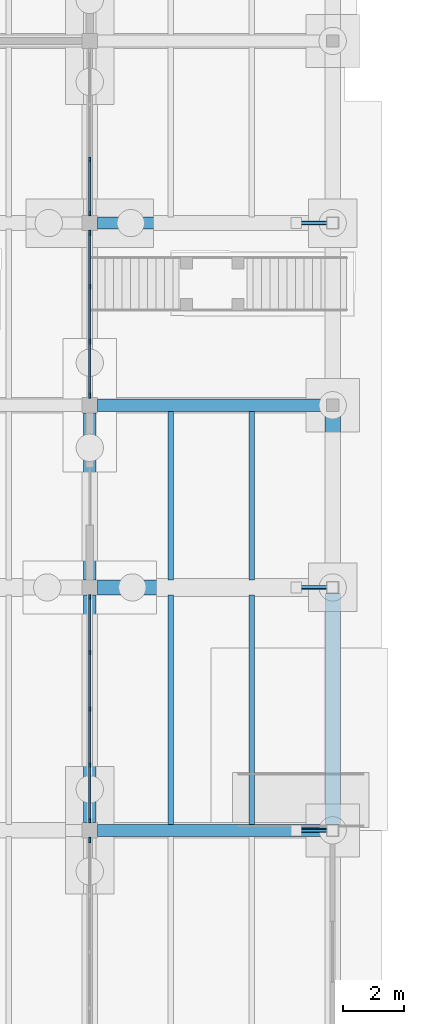
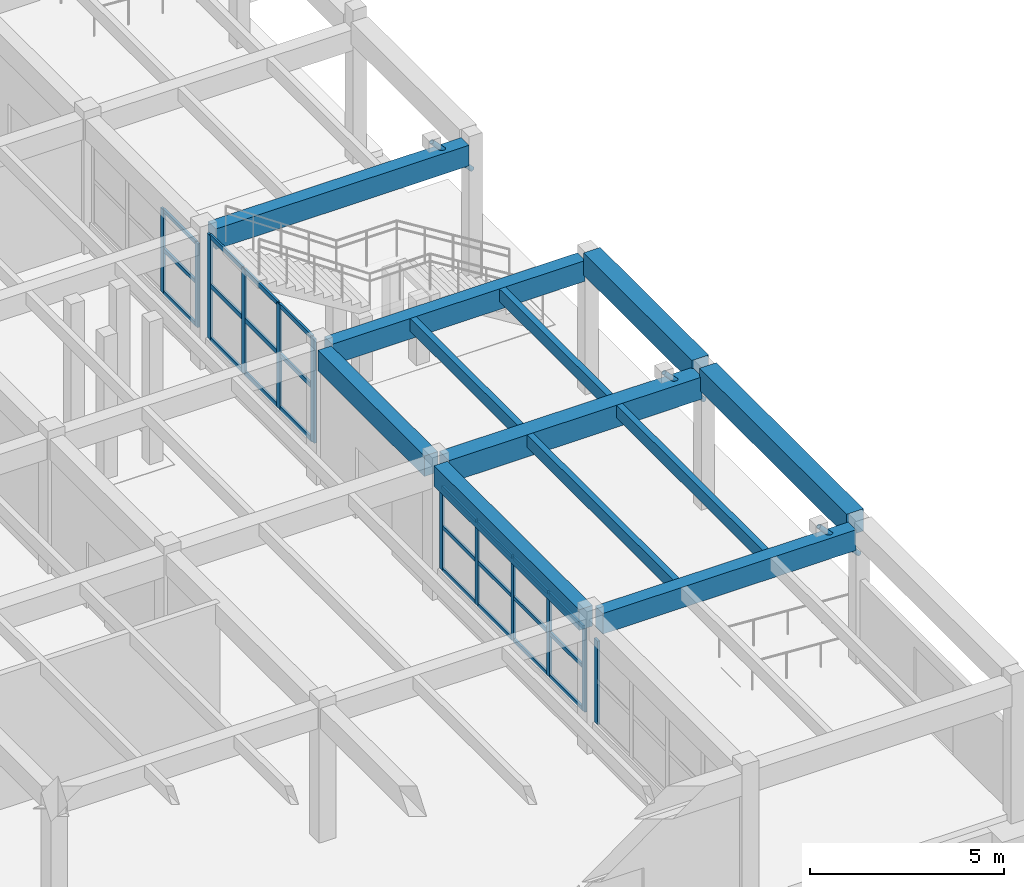
# One storey, part 17 of 99: 39 members, 12 beams, 4 elements without a shape of their own.
"""IFC4 building model written with IfcOpenShell, lengths in metres."""

from ifc_helpers import new_model, si_unit, direction, frame, origin, origin_2d, place, context, subcontext, project, spatial, rectangle, hollow_circle, extrude, material, layer, layer_set, material_profile, profile_set, type_object, element, aggregate, save


model = new_model("IFC4")

# Units and contexts
model_context = context("Model", 3, precision=1e-05, world=origin(), true_north=direction((0.0, 1.0)))
body_context = subcontext(model_context, "Body", "Model", "MODEL_VIEW")
ifc_project = project(units=[si_unit("LENGTHUNIT", "METRE"), si_unit("AREAUNIT", "SQUARE_METRE"), si_unit("VOLUMEUNIT", "CUBIC_METRE"), si_unit("PLANEANGLEUNIT", "RADIAN"), si_unit("MASSUNIT", "GRAM", prefix="KILO")], contexts=[model_context])

# Site, building, storey
site_placement = place(None, origin())
site = spatial("IfcSite", under=ifc_project, at=site_placement, CompositionType="ELEMENT")
building_placement = place(site_placement, origin())
building = spatial("IfcBuilding", under=site, at=building_placement, Name="Tonlespit Floodbar School", CompositionType="ELEMENT")
storey_placement = place(building_placement, origin())
storey = spatial("IfcBuildingStorey", under=building, at=storey_placement, Name="L00", CompositionType="ELEMENT", Elevation=0.0)

# Beams
ifc_material_1 = material(Name="Concrete C40/50", Category="concrete")
ifc_material_profile_1 = material_profile(ifc_material_1, rectangle(XDim=0.39990234375, YDim=0.64990234375, at=origin_2d()), Name="RC 400x650")
ifc_profile_set_1 = profile_set([ifc_material_profile_1], Name="Concrete C40/50")
beam_type_1 = type_object("IfcBeamType", Name="Beam_RC_400x650", PredefinedType="BEAM", material=ifc_profile_set_1)
for number, where, z_axis, x_axis, name in (
    (1, (36.25, 12.0, 3.9150390625), (1.0, 0.0, 0.0), (0.0, 1.0, 0.0), "L00 girder 0009"),
    (2, (36.25, 26.0, 3.9150390625), (1.0, 0.0, 0.0), (0.0, 1.0, 0.0), "L00 girder 0026"),
    (3, (36.25, 32.0, 3.9150390625), (1.0, 0.0, 0.0), (0.0, 1.0, 0.0), "L00 girder 0031"),
):
    element("IfcBeam", number, at=place(storey_placement, frame(where, z_axis=z_axis, x_axis=x_axis)), inside=storey, type_object=beam_type_1, Name=name, PredefinedType="BEAM", context=body_context, shape_type="SweptSolid", body=[
        extrude(rectangle(XDim=0.39990234375, YDim=0.64990234375, at=origin_2d()), origin(), (0.0, 0.0, 1.0), 7.550048828125),
    ])
beam_1_placement = place(storey_placement, frame((36.0, 12.25, 3.9150390625), z_axis=(0.0, 1.0, 0.0), x_axis=(-1.0, 0.0, 0.0)))
element("IfcBeam", 4, at=beam_1_placement, inside=storey, type_object=beam_type_1, Name="L00 girder 0210", PredefinedType="BEAM", context=body_context, shape_type="SweptSolid", body=[
    extrude(rectangle(XDim=0.39990234375, YDim=0.64990234375, at=origin_2d()), origin(), (0.0, 0.0, 1.0), 7.5),
])
beam_2_placement = place(storey_placement, frame((36.0, 20.25, 3.9150390625), z_axis=(0.0, 1.0, 0.0), x_axis=(-1.0, 0.0, 0.0)))
element("IfcBeam", 5, at=beam_2_placement, inside=storey, type_object=beam_type_1, Name="L00 girder 0211", PredefinedType="BEAM", context=body_context, shape_type="SweptSolid", body=[
    extrude(rectangle(XDim=0.39990234375, YDim=0.64990234375, at=origin_2d()), origin(), (0.0, 0.0, 1.0), 5.5),
])

# Curtain wall, members
ifc_material_2 = material(Name="Anodised Aluminium", Category="aluminium")
ifc_layer_1 = layer(ifc_material_2, 0.159912109375)
ifc_layer_set_1 = layer_set([ifc_layer_1], Name="Anodised Aluminium")
curtain_wall_type_1 = type_object("IfcCurtainWallType", Name="CurtainWall_5400x2650", PredefinedType="NOTDEFINED", material=ifc_layer_set_1)
curtain_wall_1_placement = place(storey_placement, origin())
curtain_wall_1 = element("IfcCurtainWall", 6, at=curtain_wall_1_placement, inside=storey, type_object=curtain_wall_type_1, Name="L00 unitised curtain wall 0508", PredefinedType="NOTDEFINED")
ifc_material_profile_2 = material_profile(ifc_material_2, rectangle(XDim=0.06494140625, YDim=0.14990234375, at=origin_2d()), Name="ALU M65x150")
ifc_profile_set_2 = profile_set([ifc_material_profile_2], Name="Anodised Aluminium")
member_type_1 = type_object("IfcMemberType", Name="CW_Mullion_65x150", PredefinedType="MULLION", material=ifc_profile_set_2)
member_1_placement = place(storey_placement, frame((36.0, 34.0966796875, 0.949951171875), z_axis=(0.0, 0.0, 1.0), x_axis=(1.0, 0.0, 0.0)))
member_1 = element("IfcMember", 7, at=member_1_placement, type_object=member_type_1, Name="CW-82 mullion 3", PredefinedType="MULLION", context=body_context, shape_type="SweptSolid", body=[
    extrude(rectangle(XDim=0.06494140625, YDim=0.14990234375, at=origin_2d()), origin(), (0.0, 0.0, 1.0), 2.64013671875),
])
member_2_placement = place(storey_placement, frame((36.0, 32.322509765625, 0.949951171875), z_axis=(0.0, 0.0, 1.0), x_axis=(1.0, 0.0, 0.0)))
member_2 = element("IfcMember", 8, at=member_2_placement, type_object=member_type_1, Name="CW-82 mullion 4", PredefinedType="MULLION", context=body_context, shape_type="SweptSolid", body=[
    extrude(rectangle(XDim=0.06494140625, YDim=0.14990234375, at=origin_2d()), origin(), (0.0, 0.0, 1.0), 2.64013671875),
])

ifc_layer_2 = layer(ifc_material_2, 0.159912109375)
ifc_layer_set_2 = layer_set([ifc_layer_2], Name="Anodised Aluminium")
curtain_wall_type_2 = type_object("IfcCurtainWallType", Name="CurtainWall_7400x2650", PredefinedType="NOTDEFINED", material=ifc_layer_set_2)
curtain_wall_2_placement = place(storey_placement, origin())
curtain_wall_2 = element("IfcCurtainWall", 9, at=curtain_wall_2_placement, inside=storey, type_object=curtain_wall_type_2, Name="L00 unitised curtain wall 0510", PredefinedType="NOTDEFINED")
member_3_placement = place(storey_placement, frame((36.0, 19.677490234375, 0.949951171875), z_axis=(0.0, 0.0, 1.0), x_axis=(1.0, 0.0, 0.0)))
member_3 = element("IfcMember", 10, at=member_3_placement, type_object=member_type_1, Name="CW-34 mullion 1", PredefinedType="MULLION", context=body_context, shape_type="SweptSolid", body=[
    extrude(rectangle(XDim=0.06494140625, YDim=0.14990234375, at=origin_2d()), origin(), (0.0, 0.0, 1.0), 2.64013671875),
])
member_4_placement = place(storey_placement, frame((36.0, 17.85498046875, 0.949951171875), z_axis=(0.0, 0.0, 1.0), x_axis=(1.0, 0.0, 0.0)))
member_4 = element("IfcMember", 11, at=member_4_placement, type_object=member_type_1, Name="CW-34 mullion 2", PredefinedType="MULLION", context=body_context, shape_type="SweptSolid", body=[
    extrude(rectangle(XDim=0.06494140625, YDim=0.14990234375, at=origin_2d()), origin(), (0.0, 0.0, 1.0), 2.64013671875),
])
member_5_placement = place(storey_placement, frame((36.0, 16.0, 0.949951171875), z_axis=(0.0, 0.0, 1.0), x_axis=(1.0, 0.0, 0.0)))
member_5 = element("IfcMember", 12, at=member_5_placement, type_object=member_type_1, Name="CW-34 mullion 3", PredefinedType="MULLION", context=body_context, shape_type="SweptSolid", body=[
    extrude(rectangle(XDim=0.06494140625, YDim=0.14990234375, at=origin_2d()), origin(), (0.0, 0.0, 1.0), 2.64013671875),
])
member_6_placement = place(storey_placement, frame((36.0, 14.14501953125, 0.949951171875), z_axis=(0.0, 0.0, 1.0), x_axis=(1.0, 0.0, 0.0)))
member_6 = element("IfcMember", 13, at=member_6_placement, type_object=member_type_1, Name="CW-34 mullion 4", PredefinedType="MULLION", context=body_context, shape_type="SweptSolid", body=[
    extrude(rectangle(XDim=0.06494140625, YDim=0.14990234375, at=origin_2d()), origin(), (0.0, 0.0, 1.0), 2.64013671875),
])
member_7_placement = place(storey_placement, frame((36.0, 12.322509765625, 0.949951171875), z_axis=(0.0, 0.0, 1.0), x_axis=(1.0, 0.0, 0.0)))
member_7 = element("IfcMember", 14, at=member_7_placement, type_object=member_type_1, Name="CW-34 mullion 5", PredefinedType="MULLION", context=body_context, shape_type="SweptSolid", body=[
    extrude(rectangle(XDim=0.06494140625, YDim=0.14990234375, at=origin_2d()), origin(), (0.0, 0.0, 1.0), 2.64013671875),
])

ifc_layer_3 = layer(ifc_material_2, 0.159912109375)
ifc_layer_set_3 = layer_set([ifc_layer_3], Name="Anodised Aluminium")
curtain_wall_type_3 = type_object("IfcCurtainWallType", Name="CurtainWall_5400x3300", PredefinedType="NOTDEFINED", material=ifc_layer_set_3)
curtain_wall_3_placement = place(storey_placement, origin())
curtain_wall_3 = element("IfcCurtainWall", 15, at=curtain_wall_3_placement, inside=storey, type_object=curtain_wall_type_3, Name="L00 unitised curtain wall 0509", PredefinedType="NOTDEFINED")
ifc_material_profile_3 = material_profile(ifc_material_2, rectangle(XDim=0.06494140625, YDim=0.179931640625, at=origin_2d()), Name="ALU M65x180")
ifc_profile_set_3 = profile_set([ifc_material_profile_3], Name="Anodised Aluminium")
member_type_2 = type_object("IfcMemberType", Name="CW_Mullion_65x180", PredefinedType="MULLION", material=ifc_profile_set_3)
member_8_placement = place(storey_placement, frame((36.0, 31.677490234375, 0.949951171875), z_axis=(0.0, 0.0, 1.0), x_axis=(1.0, 0.0, 0.0)))
member_8 = element("IfcMember", 16, at=member_8_placement, type_object=member_type_2, Name="CW-83 mullion 1", PredefinedType="MULLION", context=body_context, shape_type="SweptSolid", body=[
    extrude(rectangle(XDim=0.06494140625, YDim=0.179931640625, at=origin_2d()), origin(), (0.0, 0.0, 1.0), 3.2900390625),
])
member_9_placement = place(storey_placement, frame((36.0, 29.9033203125, 0.949951171875), z_axis=(0.0, 0.0, 1.0), x_axis=(1.0, 0.0, 0.0)))
member_9 = element("IfcMember", 17, at=member_9_placement, type_object=member_type_2, Name="CW-83 mullion 2", PredefinedType="MULLION", context=body_context, shape_type="SweptSolid", body=[
    extrude(rectangle(XDim=0.06494140625, YDim=0.179931640625, at=origin_2d()), origin(), (0.0, 0.0, 1.0), 3.2900390625),
])
member_10_placement = place(storey_placement, frame((36.0, 28.0966796875, 0.949951171875), z_axis=(0.0, 0.0, 1.0), x_axis=(1.0, 0.0, 0.0)))
member_10 = element("IfcMember", 18, at=member_10_placement, type_object=member_type_2, Name="CW-83 mullion 3", PredefinedType="MULLION", context=body_context, shape_type="SweptSolid", body=[
    extrude(rectangle(XDim=0.06494140625, YDim=0.179931640625, at=origin_2d()), origin(), (0.0, 0.0, 1.0), 3.2900390625),
])
member_11_placement = place(storey_placement, frame((36.0, 26.322509765625, 0.949951171875), z_axis=(0.0, 0.0, 1.0), x_axis=(1.0, 0.0, 0.0)))
member_11 = element("IfcMember", 19, at=member_11_placement, type_object=member_type_2, Name="CW-83 mullion 4", PredefinedType="MULLION", context=body_context, shape_type="SweptSolid", body=[
    extrude(rectangle(XDim=0.06494140625, YDim=0.179931640625, at=origin_2d()), origin(), (0.0, 0.0, 1.0), 3.2900390625),
])

# Curtain wall, member
curtain_wall_4_placement = place(storey_placement, origin())
curtain_wall_4 = element("IfcCurtainWall", 20, at=curtain_wall_4_placement, inside=storey, type_object=curtain_wall_type_2, Name="L00 unitised curtain wall 0511", PredefinedType="NOTDEFINED")
member_12_placement = place(storey_placement, frame((36.0, 11.677490234375, 0.949951171875), z_axis=(0.0, 0.0, 1.0), x_axis=(1.0, 0.0, 0.0)))
member_12 = element("IfcMember", 21, at=member_12_placement, type_object=member_type_2, Name="CW-34 mullion 1", PredefinedType="MULLION", context=body_context, shape_type="SweptSolid", body=[
    extrude(rectangle(XDim=0.06494140625, YDim=0.179931640625, at=origin_2d()), origin(), (0.0, 0.0, 1.0), 2.64013671875),
])
aggregate(curtain_wall_4, [member_12])

# Member
ifc_material_profile_4 = material_profile(ifc_material_2, rectangle(XDim=0.06494140625, YDim=0.1201171875, at=origin_2d()), Name="ALU T65x120")
ifc_profile_set_4 = profile_set([ifc_material_profile_4], Name="Anodised Aluminium")
member_type_3 = type_object("IfcMemberType", Name="CW_Transom_65x120", PredefinedType="USERDEFINED", material=ifc_profile_set_4)
member_13_placement = place(storey_placement, frame((36.0, 34.064208984375, 0.982421875), z_axis=(0.0, -1.0, 0.0), x_axis=(1.0, 0.0, 0.0)))
member_13 = element("IfcMember", 22, at=member_13_placement, type_object=member_type_3, Name="CW-82 transom 3.1", ObjectType="TRANSOM", PredefinedType="USERDEFINED", context=body_context, shape_type="SweptSolid", body=[
    extrude(rectangle(XDim=0.06494140625, YDim=0.1201171875, at=origin_2d()), origin(), (0.0, 0.0, 1.0), 1.709228515625),
])

member_14_placement = place(storey_placement, frame((36.0, 34.064208984375, 2.32275390625), z_axis=(0.0, -1.0, 0.0), x_axis=(1.0, 0.0, 0.0)))
member_14 = element("IfcMember", 23, at=member_14_placement, type_object=member_type_3, Name="CW-82 transom 3.2", ObjectType="TRANSOM", PredefinedType="USERDEFINED", context=body_context, shape_type="SweptSolid", body=[
    extrude(rectangle(XDim=0.06494140625, YDim=0.1201171875, at=origin_2d()), origin(), (0.0, 0.0, 1.0), 1.709228515625),
])

member_15_placement = place(storey_placement, frame((36.0, 34.064208984375, 3.5576171875), z_axis=(0.0, -1.0, 0.0), x_axis=(1.0, 0.0, 0.0)))
member_15 = element("IfcMember", 24, at=member_15_placement, type_object=member_type_3, Name="CW-82 transom 3.3", ObjectType="TRANSOM", PredefinedType="USERDEFINED", context=body_context, shape_type="SweptSolid", body=[
    extrude(rectangle(XDim=0.06494140625, YDim=0.1201171875, at=origin_2d()), origin(), (0.0, 0.0, 1.0), 1.709228515625),
])

aggregate(curtain_wall_1, [member_1, member_2, member_13, member_14, member_15])

member_16_placement = place(storey_placement, frame((36.0, 19.64501953125, 0.982421875), z_axis=(0.0, -1.0, 0.0), x_axis=(1.0, 0.0, 0.0)))
member_16 = element("IfcMember", 25, at=member_16_placement, type_object=member_type_3, Name="CW-34 transom 1.1", ObjectType="TRANSOM", PredefinedType="USERDEFINED", context=body_context, shape_type="SweptSolid", body=[
    extrude(rectangle(XDim=0.06494140625, YDim=0.1201171875, at=origin_2d()), origin(), (0.0, 0.0, 1.0), 1.757568359375),
])

member_17_placement = place(storey_placement, frame((36.0, 19.64501953125, 2.32275390625), z_axis=(0.0, -1.0, 0.0), x_axis=(1.0, 0.0, 0.0)))
member_17 = element("IfcMember", 26, at=member_17_placement, type_object=member_type_3, Name="CW-34 transom 1.2", ObjectType="TRANSOM", PredefinedType="USERDEFINED", context=body_context, shape_type="SweptSolid", body=[
    extrude(rectangle(XDim=0.06494140625, YDim=0.1201171875, at=origin_2d()), origin(), (0.0, 0.0, 1.0), 1.757568359375),
])

member_18_placement = place(storey_placement, frame((36.0, 19.64501953125, 3.5576171875), z_axis=(0.0, -1.0, 0.0), x_axis=(1.0, 0.0, 0.0)))
member_18 = element("IfcMember", 27, at=member_18_placement, type_object=member_type_3, Name="CW-34 transom 1.3", ObjectType="TRANSOM", PredefinedType="USERDEFINED", context=body_context, shape_type="SweptSolid", body=[
    extrude(rectangle(XDim=0.06494140625, YDim=0.1201171875, at=origin_2d()), origin(), (0.0, 0.0, 1.0), 1.757568359375),
])

member_19_placement = place(storey_placement, frame((36.0, 17.822509765625, 0.982421875), z_axis=(0.0, -1.0, 0.0), x_axis=(1.0, 0.0, 0.0)))
member_19 = element("IfcMember", 28, at=member_19_placement, type_object=member_type_3, Name="CW-34 transom 2.1", ObjectType="TRANSOM", PredefinedType="USERDEFINED", context=body_context, shape_type="SweptSolid", body=[
    extrude(rectangle(XDim=0.06494140625, YDim=0.1201171875, at=origin_2d()), origin(), (0.0, 0.0, 1.0), 1.7900390625),
])

member_20_placement = place(storey_placement, frame((36.0, 17.822509765625, 2.32275390625), z_axis=(0.0, -1.0, 0.0), x_axis=(1.0, 0.0, 0.0)))
member_20 = element("IfcMember", 29, at=member_20_placement, type_object=member_type_3, Name="CW-34 transom 2.2", ObjectType="TRANSOM", PredefinedType="USERDEFINED", context=body_context, shape_type="SweptSolid", body=[
    extrude(rectangle(XDim=0.06494140625, YDim=0.1201171875, at=origin_2d()), origin(), (0.0, 0.0, 1.0), 1.7900390625),
])

member_21_placement = place(storey_placement, frame((36.0, 17.822509765625, 3.5576171875), z_axis=(0.0, -1.0, 0.0), x_axis=(1.0, 0.0, 0.0)))
member_21 = element("IfcMember", 30, at=member_21_placement, type_object=member_type_3, Name="CW-34 transom 2.3", ObjectType="TRANSOM", PredefinedType="USERDEFINED", context=body_context, shape_type="SweptSolid", body=[
    extrude(rectangle(XDim=0.06494140625, YDim=0.1201171875, at=origin_2d()), origin(), (0.0, 0.0, 1.0), 1.7900390625),
])

member_22_placement = place(storey_placement, frame((36.0, 15.967529296875, 0.982421875), z_axis=(0.0, -1.0, 0.0), x_axis=(1.0, 0.0, 0.0)))
member_22 = element("IfcMember", 31, at=member_22_placement, type_object=member_type_3, Name="CW-34 transom 3.1", ObjectType="TRANSOM", PredefinedType="USERDEFINED", context=body_context, shape_type="SweptSolid", body=[
    extrude(rectangle(XDim=0.06494140625, YDim=0.1201171875, at=origin_2d()), origin(), (0.0, 0.0, 1.0), 1.7900390625),
])

member_23_placement = place(storey_placement, frame((36.0, 15.967529296875, 2.32275390625), z_axis=(0.0, -1.0, 0.0), x_axis=(1.0, 0.0, 0.0)))
member_23 = element("IfcMember", 32, at=member_23_placement, type_object=member_type_3, Name="CW-34 transom 3.2", ObjectType="TRANSOM", PredefinedType="USERDEFINED", context=body_context, shape_type="SweptSolid", body=[
    extrude(rectangle(XDim=0.06494140625, YDim=0.1201171875, at=origin_2d()), origin(), (0.0, 0.0, 1.0), 1.7900390625),
])

member_24_placement = place(storey_placement, frame((36.0, 15.967529296875, 3.5576171875), z_axis=(0.0, -1.0, 0.0), x_axis=(1.0, 0.0, 0.0)))
member_24 = element("IfcMember", 33, at=member_24_placement, type_object=member_type_3, Name="CW-34 transom 3.3", ObjectType="TRANSOM", PredefinedType="USERDEFINED", context=body_context, shape_type="SweptSolid", body=[
    extrude(rectangle(XDim=0.06494140625, YDim=0.1201171875, at=origin_2d()), origin(), (0.0, 0.0, 1.0), 1.7900390625),
])

member_25_placement = place(storey_placement, frame((36.0, 14.112548828125, 0.982421875), z_axis=(0.0, -1.0, 0.0), x_axis=(1.0, 0.0, 0.0)))
member_25 = element("IfcMember", 34, at=member_25_placement, type_object=member_type_3, Name="CW-34 transom 4.1", ObjectType="TRANSOM", PredefinedType="USERDEFINED", context=body_context, shape_type="SweptSolid", body=[
    extrude(rectangle(XDim=0.06494140625, YDim=0.1201171875, at=origin_2d()), origin(), (0.0, 0.0, 1.0), 1.757568359375),
])

member_26_placement = place(storey_placement, frame((36.0, 14.112548828125, 2.32275390625), z_axis=(0.0, -1.0, 0.0), x_axis=(1.0, 0.0, 0.0)))
member_26 = element("IfcMember", 35, at=member_26_placement, type_object=member_type_3, Name="CW-34 transom 4.2", ObjectType="TRANSOM", PredefinedType="USERDEFINED", context=body_context, shape_type="SweptSolid", body=[
    extrude(rectangle(XDim=0.06494140625, YDim=0.1201171875, at=origin_2d()), origin(), (0.0, 0.0, 1.0), 1.757568359375),
])

member_27_placement = place(storey_placement, frame((36.0, 14.112548828125, 3.5576171875), z_axis=(0.0, -1.0, 0.0), x_axis=(1.0, 0.0, 0.0)))
member_27 = element("IfcMember", 36, at=member_27_placement, type_object=member_type_3, Name="CW-34 transom 4.3", ObjectType="TRANSOM", PredefinedType="USERDEFINED", context=body_context, shape_type="SweptSolid", body=[
    extrude(rectangle(XDim=0.06494140625, YDim=0.1201171875, at=origin_2d()), origin(), (0.0, 0.0, 1.0), 1.757568359375),
])

aggregate(curtain_wall_2, [member_3, member_4, member_5, member_6, member_7, member_16, member_17, member_18, member_19, member_20, member_21, member_22, member_23, member_24, member_25, member_26, member_27])

ifc_material_profile_5 = material_profile(ifc_material_2, rectangle(XDim=0.06494140625, YDim=0.139892578125, at=origin_2d()), Name="ALU T65x140")
ifc_profile_set_5 = profile_set([ifc_material_profile_5], Name="Anodised Aluminium")
member_type_4 = type_object("IfcMemberType", Name="CW_Transom_65x140", PredefinedType="USERDEFINED", material=ifc_profile_set_5)
member_28_placement = place(storey_placement, frame((36.0, 31.64501953125, 0.982421875), z_axis=(0.0, -1.0, 0.0), x_axis=(1.0, 0.0, 0.0)))
member_28 = element("IfcMember", 37, at=member_28_placement, type_object=member_type_4, Name="CW-83 transom 1.1", ObjectType="TRANSOM", PredefinedType="USERDEFINED", context=body_context, shape_type="SweptSolid", body=[
    extrude(rectangle(XDim=0.06494140625, YDim=0.139892578125, at=origin_2d()), origin(), (0.0, 0.0, 1.0), 1.709228515625),
])

member_29_placement = place(storey_placement, frame((36.0, 31.64501953125, 2.660888671875), z_axis=(0.0, -1.0, 0.0), x_axis=(1.0, 0.0, 0.0)))
member_29 = element("IfcMember", 38, at=member_29_placement, type_object=member_type_4, Name="CW-83 transom 1.2", ObjectType="TRANSOM", PredefinedType="USERDEFINED", context=body_context, shape_type="SweptSolid", body=[
    extrude(rectangle(XDim=0.06494140625, YDim=0.139892578125, at=origin_2d()), origin(), (0.0, 0.0, 1.0), 1.709228515625),
])

member_30_placement = place(storey_placement, frame((36.0, 31.64501953125, 4.20751953125), z_axis=(0.0, -1.0, 0.0), x_axis=(1.0, 0.0, 0.0)))
member_30 = element("IfcMember", 39, at=member_30_placement, type_object=member_type_4, Name="CW-83 transom 1.3", ObjectType="TRANSOM", PredefinedType="USERDEFINED", context=body_context, shape_type="SweptSolid", body=[
    extrude(rectangle(XDim=0.06494140625, YDim=0.139892578125, at=origin_2d()), origin(), (0.0, 0.0, 1.0), 1.709228515625),
])

member_31_placement = place(storey_placement, frame((36.0, 29.870849609375, 0.982421875), z_axis=(0.0, -1.0, 0.0), x_axis=(1.0, 0.0, 0.0)))
member_31 = element("IfcMember", 40, at=member_31_placement, type_object=member_type_4, Name="CW-83 transom 2.1", ObjectType="TRANSOM", PredefinedType="USERDEFINED", context=body_context, shape_type="SweptSolid", body=[
    extrude(rectangle(XDim=0.06494140625, YDim=0.139892578125, at=origin_2d()), origin(), (0.0, 0.0, 1.0), 1.74169921875),
])

member_32_placement = place(storey_placement, frame((36.0, 29.870849609375, 2.660888671875), z_axis=(0.0, -1.0, 0.0), x_axis=(1.0, 0.0, 0.0)))
member_32 = element("IfcMember", 41, at=member_32_placement, type_object=member_type_4, Name="CW-83 transom 2.2", ObjectType="TRANSOM", PredefinedType="USERDEFINED", context=body_context, shape_type="SweptSolid", body=[
    extrude(rectangle(XDim=0.06494140625, YDim=0.139892578125, at=origin_2d()), origin(), (0.0, 0.0, 1.0), 1.74169921875),
])

member_33_placement = place(storey_placement, frame((36.0, 29.870849609375, 4.20751953125), z_axis=(0.0, -1.0, 0.0), x_axis=(1.0, 0.0, 0.0)))
member_33 = element("IfcMember", 42, at=member_33_placement, type_object=member_type_4, Name="CW-83 transom 2.3", ObjectType="TRANSOM", PredefinedType="USERDEFINED", context=body_context, shape_type="SweptSolid", body=[
    extrude(rectangle(XDim=0.06494140625, YDim=0.139892578125, at=origin_2d()), origin(), (0.0, 0.0, 1.0), 1.74169921875),
])

member_34_placement = place(storey_placement, frame((36.0, 28.064208984375, 0.982421875), z_axis=(0.0, -1.0, 0.0), x_axis=(1.0, 0.0, 0.0)))
member_34 = element("IfcMember", 43, at=member_34_placement, type_object=member_type_4, Name="CW-83 transom 3.1", ObjectType="TRANSOM", PredefinedType="USERDEFINED", context=body_context, shape_type="SweptSolid", body=[
    extrude(rectangle(XDim=0.06494140625, YDim=0.139892578125, at=origin_2d()), origin(), (0.0, 0.0, 1.0), 1.709228515625),
])

member_35_placement = place(storey_placement, frame((36.0, 28.064208984375, 2.660888671875), z_axis=(0.0, -1.0, 0.0), x_axis=(1.0, 0.0, 0.0)))
member_35 = element("IfcMember", 44, at=member_35_placement, type_object=member_type_4, Name="CW-83 transom 3.2", ObjectType="TRANSOM", PredefinedType="USERDEFINED", context=body_context, shape_type="SweptSolid", body=[
    extrude(rectangle(XDim=0.06494140625, YDim=0.139892578125, at=origin_2d()), origin(), (0.0, 0.0, 1.0), 1.709228515625),
])

member_36_placement = place(storey_placement, frame((36.0, 28.064208984375, 4.20751953125), z_axis=(0.0, -1.0, 0.0), x_axis=(1.0, 0.0, 0.0)))
member_36 = element("IfcMember", 45, at=member_36_placement, type_object=member_type_4, Name="CW-83 transom 3.3", ObjectType="TRANSOM", PredefinedType="USERDEFINED", context=body_context, shape_type="SweptSolid", body=[
    extrude(rectangle(XDim=0.06494140625, YDim=0.139892578125, at=origin_2d()), origin(), (0.0, 0.0, 1.0), 1.709228515625),
])

aggregate(curtain_wall_3, [member_8, member_9, member_10, member_11, member_28, member_29, member_30, member_31, member_32, member_33, member_34, member_35, member_36])

# Beams
ifc_material_3 = material(Name="Glulam GL28h", Category="wood")
ifc_material_profile_6 = material_profile(ifc_material_3, rectangle(XDim=0.179931640625, YDim=0.39990234375, at=origin_2d()), Name="GL 180x400")
ifc_profile_set_6 = profile_set([ifc_material_profile_6], Name="Glulam GL28h")
beam_type_2 = type_object("IfcBeamType", Name="Joist_GL_180x400", PredefinedType="JOIST", material=ifc_profile_set_6)
for number, where, z_axis, x_axis, name in (
    (46, (38.666748046875, 12.199951171875, 4.0400390625), (0.0, 1.0, 0.0), (-1.0, 0.0, 0.0), "L00 secondary joist 0345"),
    (47, (41.333251953125, 12.199951171875, 4.0400390625), (0.0, 1.0, 0.0), (-1.0, 0.0, 0.0), "L00 secondary joist 0346"),
):
    element("IfcBeam", number, at=place(storey_placement, frame(where, z_axis=z_axis, x_axis=x_axis)), inside=storey, type_object=beam_type_2, Name=name, PredefinedType="JOIST", context=body_context, shape_type="SweptSolid", body=[
        extrude(rectangle(XDim=0.179931640625, YDim=0.39990234375, at=origin_2d()), origin(), (0.0, 0.0, 1.0), 7.550048828125),
    ])
for number, where, z_axis, x_axis, name in (
    (48, (38.666748046875, 20.25, 4.0400390625), (0.0, 1.0, 0.0), (-1.0, 0.0, 0.0), "L00 secondary joist 0355"),
    (49, (41.333251953125, 20.25, 4.0400390625), (0.0, 1.0, 0.0), (-1.0, 0.0, 0.0), "L00 secondary joist 0356"),
):
    element("IfcBeam", number, at=place(storey_placement, frame(where, z_axis=z_axis, x_axis=x_axis)), inside=storey, type_object=beam_type_2, Name=name, PredefinedType="JOIST", context=body_context, shape_type="SweptSolid", body=[
        extrude(rectangle(XDim=0.179931640625, YDim=0.39990234375, at=origin_2d()), origin(), (0.0, 0.0, 1.0), 5.550048828125),
    ])
ifc_material_profile_7 = material_profile(ifc_material_1, rectangle(XDim=0.5, YDim=0.699951171875, at=origin_2d()), Name="RC 500x700")
ifc_profile_set_7 = profile_set([ifc_material_profile_7], Name="Concrete C40/50")
beam_type_3 = type_object("IfcBeamType", Name="Spandrel_RC_500x700", PredefinedType="SPANDREL", material=ifc_profile_set_7)
beam_3_placement = place(storey_placement, frame((36.25, 20.0, 3.889892578125), z_axis=(1.0, 0.0, 0.0), x_axis=(0.0, 1.0, 0.0)))
element("IfcBeam", 50, at=beam_3_placement, inside=storey, type_object=beam_type_3, Name="L00 girder 0014", PredefinedType="SPANDREL", context=body_context, shape_type="SweptSolid", body=[
    extrude(rectangle(XDim=0.5, YDim=0.699951171875, at=origin_2d()), origin(), (0.0, 0.0, 1.0), 7.550048828125),
])
beam_4_placement = place(storey_placement, frame((44.0, 12.199951171875, 4.14990234375), z_axis=(0.0, 1.0, 0.0), x_axis=(-1.0, 0.0, 0.0)))
element("IfcBeam", 51, at=beam_4_placement, inside=storey, type_object=beam_type_3, Name="L00 girder 0222", PredefinedType="SPANDREL", context=body_context, shape_type="SweptSolid", body=[
    extrude(rectangle(XDim=0.5, YDim=0.699951171875, at=origin_2d()), origin(), (0.0, 0.0, 1.0), 7.60009765625),
])
beam_5_placement = place(storey_placement, frame((44.0, 20.199951171875, 4.14990234375), z_axis=(0.0, 1.0, 0.0), x_axis=(-1.0, 0.0, 0.0)))
element("IfcBeam", 52, at=beam_5_placement, inside=storey, type_object=beam_type_3, Name="L00 girder 0223", PredefinedType="SPANDREL", context=body_context, shape_type="SweptSolid", body=[
    extrude(rectangle(XDim=0.5, YDim=0.699951171875, at=origin_2d()), origin(), (0.0, 0.0, 1.0), 5.60009765625),
])

# Members
ifc_material_4 = material(Name="Steel S355", Category="steel")
ifc_material_profile_8 = material_profile(ifc_material_4, hollow_circle(Radius=0.06982421875, WallThickness=0.00634765625, at=origin_2d()), Name="CHS 139.7x6.3")
ifc_profile_set_8 = profile_set([ifc_material_profile_8], Name="Steel S355")
member_type_5 = type_object("IfcMemberType", Name="Strut_STL_CHS139", PredefinedType="STRUT", material=ifc_profile_set_8)
for number, where, z_axis, x_axis, name in (
    (53, (44.0, 12.0, 3.300048828125), (-0.68391798523, 0.0, 0.729558900623), (0.0, -1.0, 0.0), "West colonnade canopy strut 1"),
    (54, (44.0, 20.0, 3.300048828125), (-0.68391798523, 0.0, 0.729558900623), (0.0, -1.0, 0.0), "West colonnade canopy strut 2"),
    (55, (44.0, 32.0, 3.300048828125), (-0.68391798523, 0.0, 0.729558900623), (0.0, -1.0, 0.0), "West colonnade canopy strut 3"),
):
    element("IfcMember", number, at=place(storey_placement, frame(where, z_axis=z_axis, x_axis=x_axis)), inside=storey, type_object=member_type_5, Name=name, PredefinedType="STRUT", context=body_context, shape_type="SweptSolid", body=[
        extrude(hollow_circle(Radius=0.06982421875, WallThickness=0.00634765625, at=origin_2d()), origin(), (0.0, 0.0, 1.0), 1.754638671875),
    ])

save(model, "model.ifc")
